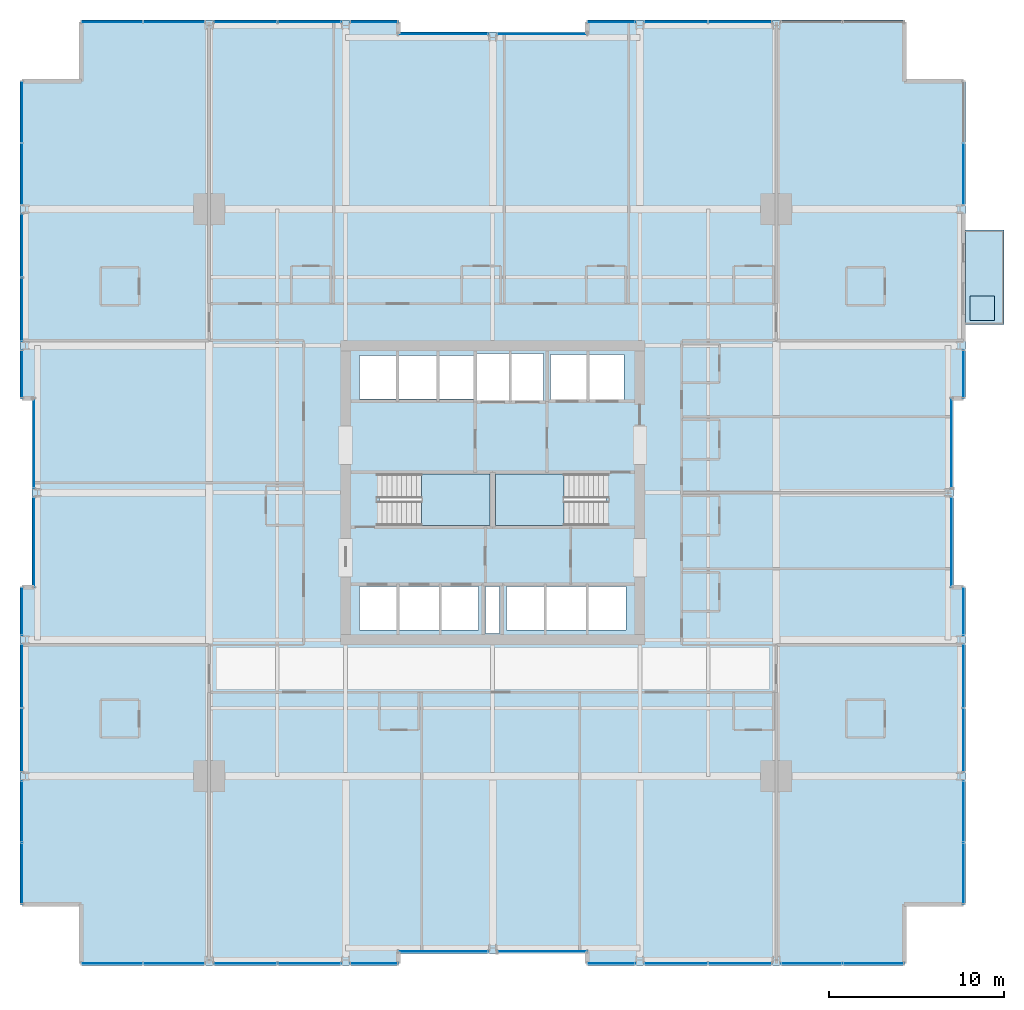
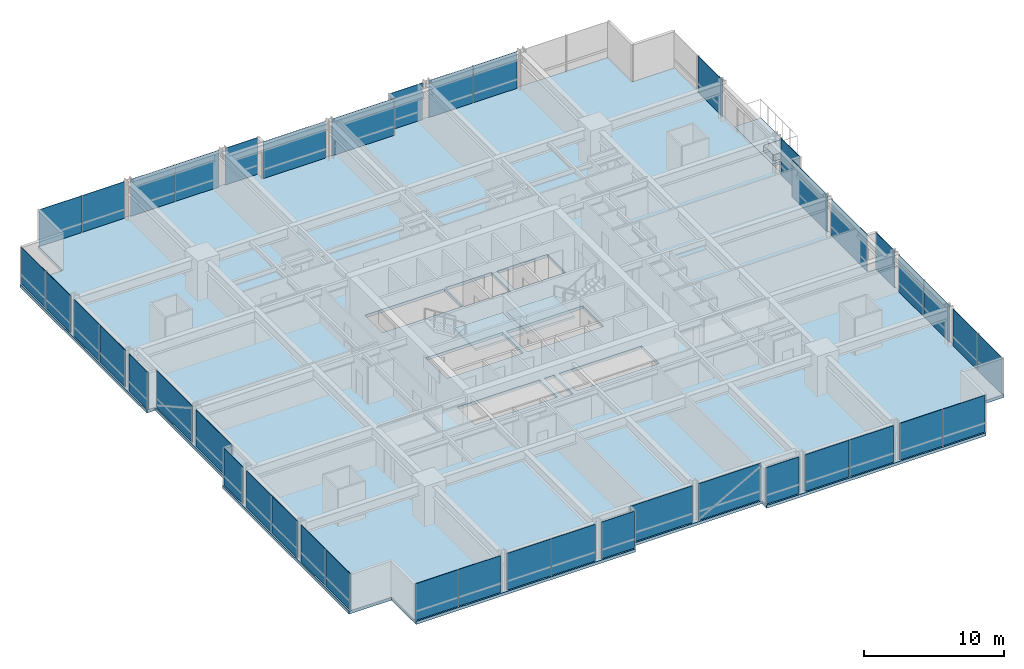
# One storey, part 29 of 38: 43 plates, 5 slabs, 32 elements without a shape of their own.
"""IFC4 building model written with IfcOpenShell, lengths in metres."""

from ifc_helpers import new_model, si_unit, direction, frame, origin, origin_2d, place, context, subcontext, project, spatial, polyline, rectangle, outline, extrude, material, layer, layer_set, type_object, element, aggregate, save


model = new_model("IFC4")

# Units and contexts
model_context = context("Model", 3, precision=1e-05, world=origin(), true_north=direction((0.0, 1.0)))
body_context = subcontext(model_context, "Body", "Model", "MODEL_VIEW")
ifc_project = project(units=[si_unit("LENGTHUNIT", "METRE"), si_unit("AREAUNIT", "SQUARE_METRE"), si_unit("VOLUMEUNIT", "CUBIC_METRE"), si_unit("PLANEANGLEUNIT", "RADIAN"), si_unit("MASSUNIT", "GRAM", prefix="KILO")], contexts=[model_context])

# Site, building, storey
site_placement = place(None, origin())
site = spatial("IfcSite", under=ifc_project, at=site_placement, CompositionType="ELEMENT")
building_placement = place(site_placement, origin())
building = spatial("IfcBuilding", under=site, at=building_placement, Name="Drelvath Grand Hotel", CompositionType="ELEMENT")
storey_placement = place(building_placement, frame((0.0, 0.0, 50.699951171875)))
storey = spatial("IfcBuildingStorey", under=building, at=storey_placement, Name="L11", CompositionType="ELEMENT", Elevation=50.699951171875)

# Slabs
ifc_material_1 = material(Name="Concrete f'c 40 MPa", Category="concrete")
ifc_layer_1 = layer(ifc_material_1, 0.239990234375)
ifc_layer_set_1 = layer_set([ifc_layer_1], Name="Concrete f'c 40 MPa")
slab_type_1 = type_object("IfcSlabType", Name="Cantilevered Tree Balcony Slab 240", PredefinedType="FLOOR", material=ifc_layer_set_1)
slab_1_placement = place(storey_placement, frame((0.0, 0.0, -0.239990234375)))
element("IfcSlab", 1, at=slab_1_placement, inside=storey, type_object=slab_type_1, Name="L11 Cantilevered Tree Balcony Slab 1", PredefinedType="FLOOR", context=body_context, shape_type="SweptSolid", body=[
    extrude(outline(polyline([(27.0, 36.60009765625), (29.199951171875, 36.60009765625), (29.199951171875, 42.0), (27.0, 42.0), (27.0, 36.60009765625)])), origin(), (0.0, 0.0, 1.0), 0.239990234375),
])
ifc_layer_2 = layer(ifc_material_1, 0.260009765625)
ifc_layer_set_2 = layer_set([ifc_layer_2], Name="Concrete f'c 40 MPa")
slab_type_2 = type_object("IfcSlabType", Name="Composite RC Floor Slab 260", PredefinedType="FLOOR", material=ifc_layer_set_2)
slab_2_placement = place(storey_placement, frame((0.0, 0.0, -0.260009765625)))
element("IfcSlab", 2, at=slab_2_placement, inside=storey, type_object=slab_type_2, Name="L11 Structural Floor Slab", PredefinedType="FLOOR", context=body_context, shape_type="SweptSolid", body=[
    extrude(outline(polyline([(-23.5, 0.0), (-5.39990234375, 0.0), (-5.39990234375, 0.679931640625), (5.39990234375, 0.679931640625), (5.39990234375, 0.0), (23.5, 0.0), (23.5, 3.5), (27.0, 3.5), (27.0, 21.60009765625), (26.320068359375, 21.60009765625), (26.320068359375, 32.39990234375), (27.0, 32.39990234375), (27.0, 50.5), (23.5, 50.5), (23.5, 54.0), (5.39990234375, 54.0), (5.39990234375, 53.320068359375), (-5.39990234375, 53.320068359375), (-5.39990234375, 54.0), (-23.5, 54.0), (-23.5, 50.5), (-27.0, 50.5), (-27.0, 32.39990234375), (-26.320068359375, 32.39990234375), (-26.320068359375, 21.60009765625), (-27.0, 21.60009765625), (-27.0, 3.5), (-23.5, 3.5), (-23.5, 0.0)]), holes=[polyline([(-6.47998046875, 25.1201171875), (-6.47998046875, 28.080078125), (-0.14990234375, 28.080078125), (-0.14990234375, 25.1201171875), (-6.47998046875, 25.1201171875)]), polyline([(0.14990234375, 25.1201171875), (0.14990234375, 28.080078125), (6.47998046875, 28.080078125), (6.47998046875, 25.1201171875), (0.14990234375, 25.1201171875)]), polyline([(-7.60009765625, 19.14990234375), (-7.60009765625, 21.64990234375), (-0.800048828125, 21.64990234375), (-0.800048828125, 19.14990234375), (-7.60009765625, 19.14990234375)]), polyline([(-0.39990234375, 18.9599609375), (-0.39990234375, 21.639892578125), (0.39990234375, 21.639892578125), (0.39990234375, 18.9599609375), (-0.39990234375, 18.9599609375)]), polyline([(0.800048828125, 19.14990234375), (0.800048828125, 21.64990234375), (7.60009765625, 21.64990234375), (7.60009765625, 19.14990234375), (0.800048828125, 19.14990234375)]), polyline([(-7.60009765625, 32.35009765625), (-7.60009765625, 34.85009765625), (-1.02001953125, 34.85009765625), (-1.02001953125, 32.35009765625), (-7.60009765625, 32.35009765625)]), polyline([(-0.89990234375, 32.25), (-0.89990234375, 34.949951171875), (2.89990234375, 34.949951171875), (2.89990234375, 32.25), (-0.89990234375, 32.25)]), polyline([(3.300048828125, 32.300048828125), (3.300048828125, 34.89990234375), (7.5, 34.89990234375), (7.5, 32.300048828125), (3.300048828125, 32.300048828125)])]), origin(), (0.0, 0.0, 1.0), 0.260009765625),
])

# Stair, slab
ifc_material_2 = material(Name="Concrete C40/50", Category="concrete")
stair_type = type_object("IfcStairType", Name="Dogleg Exit Stair W1400-R175.0", PredefinedType="HALF_TURN_STAIR", material=ifc_material_2)
stair_1_placement = place(storey_placement, origin())
stair_1 = element("IfcStair", 3, at=stair_1_placement, inside=storey, type_object=stair_type, Name="L11 Core Exit Stair ST-1", PredefinedType="HALF_TURN_STAIR")
ifc_layer_3 = layer(ifc_material_2, 0.199951171875)
ifc_layer_set_3 = layer_set([ifc_layer_3], Name="Concrete C40/50")
slab_type_3 = type_object("IfcSlabType", Name="Concrete Stair Landing Slab 200", PredefinedType="LANDING", material=ifc_layer_set_3)
slab_3_placement = place(storey_placement, frame((0.0, 0.0, 1.550048828125)))
slab_3 = element("IfcSlab", 4, at=slab_3_placement, type_object=slab_type_3, Name="ST-1 landing 1", PredefinedType="LANDING", context=body_context, shape_type="SweptSolid", body=[
    extrude(outline(polyline([(-4.080078125, 25.1201171875), (-0.14990234375, 25.1201171875), (-0.14990234375, 28.080078125), (-4.080078125, 28.080078125), (-4.080078125, 25.1201171875)])), origin(), (0.0, 0.0, 1.0), 0.199951171875),
])
aggregate(stair_1, [slab_3])

stair_2_placement = place(storey_placement, origin())
stair_2 = element("IfcStair", 5, at=stair_2_placement, inside=storey, type_object=stair_type, Name="L11 Core Exit Stair ST-2", PredefinedType="HALF_TURN_STAIR")
slab_4_placement = place(storey_placement, frame((0.0, 0.0, 1.550048828125)))
slab_4 = element("IfcSlab", 6, at=slab_4_placement, type_object=slab_type_3, Name="ST-2 landing 1", PredefinedType="LANDING", context=body_context, shape_type="SweptSolid", body=[
    extrude(outline(polyline([(4.080078125, 28.080078125), (0.14990234375, 28.080078125), (0.14990234375, 25.1201171875), (4.080078125, 25.1201171875), (4.080078125, 28.080078125)])), origin(), (0.0, 0.0, 1.0), 0.199951171875),
])
aggregate(stair_2, [slab_4])

# Curtain wall, plates
ifc_material_3 = material(Name="Warm Bronze Anodised Aluminium Frame", Category="aluminium")
ifc_layer_4 = layer(ifc_material_3, 0.199951171875)
ifc_layer_set_4 = layer_set([ifc_layer_4], Name="Warm Bronze Anodised Aluminium Frame")
curtain_wall_type = type_object("IfcCurtainWallType", Name="Stick Curtain Wall CW-02 Warm Bronze Low-Rise", PredefinedType="NOTDEFINED", material=ifc_layer_set_4)
curtain_wall_1_placement = place(storey_placement, origin())
curtain_wall_1 = element("IfcCurtainWall", 7, at=curtain_wall_1_placement, inside=storey, type_object=curtain_wall_type, Name="L11 CW-02 Curtain Wall CW02-L11-WS1", PredefinedType="NOTDEFINED")
ifc_material_4 = material(Name="Low-E Triple Silver Vision Glass Bronze Tint", Category="glass")
ifc_layer_5 = layer(ifc_material_4, 0.035888671875)
ifc_layer_set_5 = layer_set([ifc_layer_5], Name="Low-E Triple Silver Vision Glass Bronze Tint")
plate_type = type_object("IfcPlateType", Name="Curtain Wall Vision Panel CW-02 36mm", PredefinedType="CURTAIN_PANEL", material=ifc_layer_set_5)
plate_1_placement = place(storey_placement, frame((-26.8798828125, 5.264892578125, 0.02001953125), z_axis=(0.0, 0.0, 1.0), x_axis=(0.0, 1.0, 0.0)))
plate_1 = element("IfcPlate", 8, at=plate_1_placement, type_object=plate_type, Name="CW02-L11-WS1 Glazed Panel 1", PredefinedType="CURTAIN_PANEL", context=body_context, shape_type="SweptSolid", body=[
    extrude(rectangle(XDim=3.489501953125, YDim=0.035888671875, at=origin_2d()), origin(), (0.0, 0.0, 1.0), 3.199951171875),
])
plate_2_placement = place(storey_placement, frame((-26.8798828125, 8.794189453125, 0.02001953125), z_axis=(0.0, 0.0, 1.0), x_axis=(0.0, 1.0, 0.0)))
plate_2 = element("IfcPlate", 9, at=plate_2_placement, type_object=plate_type, Name="CW02-L11-WS1 Glazed Panel 2", PredefinedType="CURTAIN_PANEL", context=body_context, shape_type="SweptSolid", body=[
    extrude(rectangle(XDim=3.489501953125, YDim=0.035888671875, at=origin_2d()), origin(), (0.0, 0.0, 1.0), 3.199951171875),
])
aggregate(curtain_wall_1, [plate_1, plate_2])

curtain_wall_2_placement = place(storey_placement, origin())
curtain_wall_2 = element("IfcCurtainWall", 10, at=curtain_wall_2_placement, inside=storey, type_object=curtain_wall_type, Name="L11 CW-02 Curtain Wall CW02-L11-WS2", PredefinedType="NOTDEFINED")
plate_3_placement = place(storey_placement, frame((-26.8798828125, 12.870361328125, 0.02001953125), z_axis=(0.0, 0.0, 1.0), x_axis=(0.0, 1.0, 0.0)))
plate_3 = element("IfcPlate", 11, at=plate_3_placement, type_object=plate_type, Name="CW02-L11-WS2 Glazed Panel 1", PredefinedType="CURTAIN_PANEL", context=body_context, shape_type="SweptSolid", body=[
    extrude(rectangle(XDim=3.619140625, YDim=0.035888671875, at=origin_2d()), origin(), (0.0, 0.0, 1.0), 3.199951171875),
])
plate_4_placement = place(storey_placement, frame((-26.8798828125, 16.529541015625, 0.02001953125), z_axis=(0.0, 0.0, 1.0), x_axis=(0.0, 1.0, 0.0)))
plate_4 = element("IfcPlate", 12, at=plate_4_placement, type_object=plate_type, Name="CW02-L11-WS2 Glazed Panel 2", PredefinedType="CURTAIN_PANEL", context=body_context, shape_type="SweptSolid", body=[
    extrude(rectangle(XDim=3.619140625, YDim=0.035888671875, at=origin_2d()), origin(), (0.0, 0.0, 1.0), 3.199951171875),
])
aggregate(curtain_wall_2, [plate_3, plate_4])

# Curtain wall, plate
curtain_wall_3_placement = place(storey_placement, origin())
curtain_wall_3 = element("IfcCurtainWall", 13, at=curtain_wall_3_placement, inside=storey, type_object=curtain_wall_type, Name="L11 CW-02 Curtain Wall CW02-L11-WS3", PredefinedType="NOTDEFINED")
plate_5_placement = place(storey_placement, frame((-26.8798828125, 20.220458984375, 0.02001953125), z_axis=(0.0, 0.0, 1.0), x_axis=(0.0, 1.0, 0.0)))
plate_5 = element("IfcPlate", 14, at=plate_5_placement, type_object=plate_type, Name="CW02-L11-WS3 Glazed Panel 1", PredefinedType="CURTAIN_PANEL", context=body_context, shape_type="SweptSolid", body=[
    extrude(rectangle(XDim=2.718994140625, YDim=0.035888671875, at=origin_2d()), origin(), (0.0, 0.0, 1.0), 3.199951171875),
])
aggregate(curtain_wall_3, [plate_5])

curtain_wall_4_placement = place(storey_placement, origin())
curtain_wall_4 = element("IfcCurtainWall", 15, at=curtain_wall_4_placement, inside=storey, type_object=curtain_wall_type, Name="L11 CW-02 Curtain Wall CW02-L11-WM1", PredefinedType="NOTDEFINED")
plate_6_placement = place(storey_placement, frame((-26.199951171875, 24.179443359375, 0.02001953125), z_axis=(0.0, 0.0, 1.0), x_axis=(0.0, 1.0, 0.0)))
plate_6 = element("IfcPlate", 16, at=plate_6_placement, type_object=plate_type, Name="CW02-L11-WM1 Glazed Panel 1", PredefinedType="CURTAIN_PANEL", context=body_context, shape_type="SweptSolid", body=[
    extrude(rectangle(XDim=5.119140625, YDim=0.035888671875, at=origin_2d()), origin(), (0.0, 0.0, 1.0), 3.199951171875),
])
aggregate(curtain_wall_4, [plate_6])

curtain_wall_5_placement = place(storey_placement, origin())
curtain_wall_5 = element("IfcCurtainWall", 17, at=curtain_wall_5_placement, inside=storey, type_object=curtain_wall_type, Name="L11 CW-02 Curtain Wall CW02-L11-WM2", PredefinedType="NOTDEFINED")
plate_7_placement = place(storey_placement, frame((-26.199951171875, 29.820556640625, 0.02001953125), z_axis=(0.0, 0.0, 1.0), x_axis=(0.0, 1.0, 0.0)))
plate_7 = element("IfcPlate", 18, at=plate_7_placement, type_object=plate_type, Name="CW02-L11-WM2 Glazed Panel 1", PredefinedType="CURTAIN_PANEL", context=body_context, shape_type="SweptSolid", body=[
    extrude(rectangle(XDim=5.119140625, YDim=0.035888671875, at=origin_2d()), origin(), (0.0, 0.0, 1.0), 3.199951171875),
])
aggregate(curtain_wall_5, [plate_7])

curtain_wall_6_placement = place(storey_placement, origin())
curtain_wall_6 = element("IfcCurtainWall", 19, at=curtain_wall_6_placement, inside=storey, type_object=curtain_wall_type, Name="L11 CW-02 Curtain Wall CW02-L11-WN1", PredefinedType="NOTDEFINED")
plate_8_placement = place(storey_placement, frame((-26.8798828125, 33.779541015625, 0.02001953125), z_axis=(0.0, 0.0, 1.0), x_axis=(0.0, 1.0, 0.0)))
plate_8 = element("IfcPlate", 20, at=plate_8_placement, type_object=plate_type, Name="CW02-L11-WN1 Glazed Panel 1", PredefinedType="CURTAIN_PANEL", context=body_context, shape_type="SweptSolid", body=[
    extrude(rectangle(XDim=2.718994140625, YDim=0.035888671875, at=origin_2d()), origin(), (0.0, 0.0, 1.0), 3.199951171875),
])
aggregate(curtain_wall_6, [plate_8])

# Curtain wall, plates
curtain_wall_7_placement = place(storey_placement, origin())
curtain_wall_7 = element("IfcCurtainWall", 21, at=curtain_wall_7_placement, inside=storey, type_object=curtain_wall_type, Name="L11 CW-02 Curtain Wall CW02-L11-WN2", PredefinedType="NOTDEFINED")
plate_9_placement = place(storey_placement, frame((-26.8798828125, 37.470458984375, 0.02001953125), z_axis=(0.0, 0.0, 1.0), x_axis=(0.0, 1.0, 0.0)))
plate_9 = element("IfcPlate", 22, at=plate_9_placement, type_object=plate_type, Name="CW02-L11-WN2 Glazed Panel 1", PredefinedType="CURTAIN_PANEL", context=body_context, shape_type="SweptSolid", body=[
    extrude(rectangle(XDim=3.619140625, YDim=0.035888671875, at=origin_2d()), origin(), (0.0, 0.0, 1.0), 3.199951171875),
])
plate_10_placement = place(storey_placement, frame((-26.8798828125, 41.129638671875, 0.02001953125), z_axis=(0.0, 0.0, 1.0), x_axis=(0.0, 1.0, 0.0)))
plate_10 = element("IfcPlate", 23, at=plate_10_placement, type_object=plate_type, Name="CW02-L11-WN2 Glazed Panel 2", PredefinedType="CURTAIN_PANEL", context=body_context, shape_type="SweptSolid", body=[
    extrude(rectangle(XDim=3.619140625, YDim=0.035888671875, at=origin_2d()), origin(), (0.0, 0.0, 1.0), 3.199951171875),
])
aggregate(curtain_wall_7, [plate_9, plate_10])

curtain_wall_8_placement = place(storey_placement, origin())
curtain_wall_8 = element("IfcCurtainWall", 24, at=curtain_wall_8_placement, inside=storey, type_object=curtain_wall_type, Name="L11 CW-02 Curtain Wall CW02-L11-WN3", PredefinedType="NOTDEFINED")
plate_11_placement = place(storey_placement, frame((-26.8798828125, 45.205810546875, 0.02001953125), z_axis=(0.0, 0.0, 1.0), x_axis=(0.0, 1.0, 0.0)))
plate_11 = element("IfcPlate", 25, at=plate_11_placement, type_object=plate_type, Name="CW02-L11-WN3 Glazed Panel 1", PredefinedType="CURTAIN_PANEL", context=body_context, shape_type="SweptSolid", body=[
    extrude(rectangle(XDim=3.489501953125, YDim=0.035888671875, at=origin_2d()), origin(), (0.0, 0.0, 1.0), 3.199951171875),
])
plate_12_placement = place(storey_placement, frame((-26.8798828125, 48.735107421875, 0.02001953125), z_axis=(0.0, 0.0, 1.0), x_axis=(0.0, 1.0, 0.0)))
plate_12 = element("IfcPlate", 26, at=plate_12_placement, type_object=plate_type, Name="CW02-L11-WN3 Glazed Panel 2", PredefinedType="CURTAIN_PANEL", context=body_context, shape_type="SweptSolid", body=[
    extrude(rectangle(XDim=3.489501953125, YDim=0.035888671875, at=origin_2d()), origin(), (0.0, 0.0, 1.0), 3.199951171875),
])
aggregate(curtain_wall_8, [plate_11, plate_12])

# Curtain wall, plate
curtain_wall_9_placement = place(storey_placement, origin())
curtain_wall_9 = element("IfcCurtainWall", 27, at=curtain_wall_9_placement, inside=storey, type_object=curtain_wall_type, Name="L11 CW-02 Curtain Wall CW02-L11-EN1", PredefinedType="NOTDEFINED")
plate_13_placement = place(storey_placement, frame((26.8798828125, 33.779541015625, 0.02001953125), z_axis=(0.0, 0.0, 1.0), x_axis=(0.0, -1.0, 0.0)))
plate_13 = element("IfcPlate", 28, at=plate_13_placement, type_object=plate_type, Name="CW02-L11-EN1 Glazed Panel 1", PredefinedType="CURTAIN_PANEL", context=body_context, shape_type="SweptSolid", body=[
    extrude(rectangle(XDim=2.718994140625, YDim=0.035888671875, at=origin_2d()), origin(), (0.0, 0.0, 1.0), 3.199951171875),
])
aggregate(curtain_wall_9, [plate_13])

curtain_wall_10_placement = place(storey_placement, origin())
curtain_wall_10 = element("IfcCurtainWall", 29, at=curtain_wall_10_placement, inside=storey, type_object=curtain_wall_type, Name="L11 CW-02 Curtain Wall CW02-L11-EN3", PredefinedType="NOTDEFINED")
plate_14_placement = place(storey_placement, frame((26.8798828125, 45.205810546875, 0.02001953125), z_axis=(0.0, 0.0, 1.0), x_axis=(0.0, -1.0, 0.0)))
plate_14 = element("IfcPlate", 30, at=plate_14_placement, type_object=plate_type, Name="CW02-L11-EN3 Glazed Panel 2", PredefinedType="CURTAIN_PANEL", context=body_context, shape_type="SweptSolid", body=[
    extrude(rectangle(XDim=3.489501953125, YDim=0.035888671875, at=origin_2d()), origin(), (0.0, 0.0, 1.0), 3.199951171875),
])
aggregate(curtain_wall_10, [plate_14])

curtain_wall_11_placement = place(storey_placement, origin())
curtain_wall_11 = element("IfcCurtainWall", 31, at=curtain_wall_11_placement, inside=storey, type_object=curtain_wall_type, Name="L11 CW-02 Curtain Wall CW02-L11-EM1", PredefinedType="NOTDEFINED")
plate_15_placement = place(storey_placement, frame((26.199951171875, 24.179443359375, 0.02001953125), z_axis=(0.0, 0.0, 1.0), x_axis=(0.0, -1.0, 0.0)))
plate_15 = element("IfcPlate", 32, at=plate_15_placement, type_object=plate_type, Name="CW02-L11-EM1 Glazed Panel 1", PredefinedType="CURTAIN_PANEL", context=body_context, shape_type="SweptSolid", body=[
    extrude(rectangle(XDim=5.119140625, YDim=0.035888671875, at=origin_2d()), origin(), (0.0, 0.0, 1.0), 3.199951171875),
])
aggregate(curtain_wall_11, [plate_15])

curtain_wall_12_placement = place(storey_placement, origin())
curtain_wall_12 = element("IfcCurtainWall", 33, at=curtain_wall_12_placement, inside=storey, type_object=curtain_wall_type, Name="L11 CW-02 Curtain Wall CW02-L11-EM2", PredefinedType="NOTDEFINED")
plate_16_placement = place(storey_placement, frame((26.199951171875, 29.820556640625, 0.02001953125), z_axis=(0.0, 0.0, 1.0), x_axis=(0.0, -1.0, 0.0)))
plate_16 = element("IfcPlate", 34, at=plate_16_placement, type_object=plate_type, Name="CW02-L11-EM2 Glazed Panel 1", PredefinedType="CURTAIN_PANEL", context=body_context, shape_type="SweptSolid", body=[
    extrude(rectangle(XDim=5.119140625, YDim=0.035888671875, at=origin_2d()), origin(), (0.0, 0.0, 1.0), 3.199951171875),
])
aggregate(curtain_wall_12, [plate_16])

# Curtain wall, plates
curtain_wall_13_placement = place(storey_placement, origin())
curtain_wall_13 = element("IfcCurtainWall", 35, at=curtain_wall_13_placement, inside=storey, type_object=curtain_wall_type, Name="L11 CW-02 Curtain Wall CW02-L11-ES1", PredefinedType="NOTDEFINED")
plate_17_placement = place(storey_placement, frame((26.8798828125, 8.794189453125, 0.02001953125), z_axis=(0.0, 0.0, 1.0), x_axis=(0.0, -1.0, 0.0)))
plate_17 = element("IfcPlate", 36, at=plate_17_placement, type_object=plate_type, Name="CW02-L11-ES1 Glazed Panel 1", PredefinedType="CURTAIN_PANEL", context=body_context, shape_type="SweptSolid", body=[
    extrude(rectangle(XDim=3.489501953125, YDim=0.035888671875, at=origin_2d()), origin(), (0.0, 0.0, 1.0), 3.199951171875),
])
plate_18_placement = place(storey_placement, frame((26.8798828125, 5.264892578125, 0.02001953125), z_axis=(0.0, 0.0, 1.0), x_axis=(0.0, -1.0, 0.0)))
plate_18 = element("IfcPlate", 37, at=plate_18_placement, type_object=plate_type, Name="CW02-L11-ES1 Glazed Panel 2", PredefinedType="CURTAIN_PANEL", context=body_context, shape_type="SweptSolid", body=[
    extrude(rectangle(XDim=3.489501953125, YDim=0.035888671875, at=origin_2d()), origin(), (0.0, 0.0, 1.0), 3.199951171875),
])
aggregate(curtain_wall_13, [plate_17, plate_18])

curtain_wall_14_placement = place(storey_placement, origin())
curtain_wall_14 = element("IfcCurtainWall", 38, at=curtain_wall_14_placement, inside=storey, type_object=curtain_wall_type, Name="L11 CW-02 Curtain Wall CW02-L11-ES2", PredefinedType="NOTDEFINED")
plate_19_placement = place(storey_placement, frame((26.8798828125, 16.529541015625, 0.02001953125), z_axis=(0.0, 0.0, 1.0), x_axis=(0.0, -1.0, 0.0)))
plate_19 = element("IfcPlate", 39, at=plate_19_placement, type_object=plate_type, Name="CW02-L11-ES2 Glazed Panel 1", PredefinedType="CURTAIN_PANEL", context=body_context, shape_type="SweptSolid", body=[
    extrude(rectangle(XDim=3.619140625, YDim=0.035888671875, at=origin_2d()), origin(), (0.0, 0.0, 1.0), 3.199951171875),
])
plate_20_placement = place(storey_placement, frame((26.8798828125, 12.870361328125, 0.02001953125), z_axis=(0.0, 0.0, 1.0), x_axis=(0.0, -1.0, 0.0)))
plate_20 = element("IfcPlate", 40, at=plate_20_placement, type_object=plate_type, Name="CW02-L11-ES2 Glazed Panel 2", PredefinedType="CURTAIN_PANEL", context=body_context, shape_type="SweptSolid", body=[
    extrude(rectangle(XDim=3.619140625, YDim=0.035888671875, at=origin_2d()), origin(), (0.0, 0.0, 1.0), 3.199951171875),
])
aggregate(curtain_wall_14, [plate_19, plate_20])

# Curtain wall, plate
curtain_wall_15_placement = place(storey_placement, origin())
curtain_wall_15 = element("IfcCurtainWall", 41, at=curtain_wall_15_placement, inside=storey, type_object=curtain_wall_type, Name="L11 CW-02 Curtain Wall CW02-L11-ES3", PredefinedType="NOTDEFINED")
plate_21_placement = place(storey_placement, frame((26.8798828125, 20.220458984375, 0.02001953125), z_axis=(0.0, 0.0, 1.0), x_axis=(0.0, -1.0, 0.0)))
plate_21 = element("IfcPlate", 42, at=plate_21_placement, type_object=plate_type, Name="CW02-L11-ES3 Glazed Panel 1", PredefinedType="CURTAIN_PANEL", context=body_context, shape_type="SweptSolid", body=[
    extrude(rectangle(XDim=2.718994140625, YDim=0.035888671875, at=origin_2d()), origin(), (0.0, 0.0, 1.0), 3.199951171875),
])
aggregate(curtain_wall_15, [plate_21])

# Curtain wall, plates
curtain_wall_16_placement = place(storey_placement, origin())
curtain_wall_16 = element("IfcCurtainWall", 43, at=curtain_wall_16_placement, inside=storey, type_object=curtain_wall_type, Name="L11 CW-02 Curtain Wall CW02-L11-NW1", PredefinedType="NOTDEFINED")
plate_22_placement = place(storey_placement, frame((-21.735107421875, 53.8798828125, 0.02001953125), z_axis=(0.0, 0.0, 1.0), x_axis=(1.0, 0.0, 0.0)))
plate_22 = element("IfcPlate", 44, at=plate_22_placement, type_object=plate_type, Name="CW02-L11-NW1 Glazed Panel 1", PredefinedType="CURTAIN_PANEL", context=body_context, shape_type="SweptSolid", body=[
    extrude(rectangle(XDim=3.489501953125, YDim=0.035888671875, at=origin_2d()), origin(), (0.0, 0.0, 1.0), 3.199951171875),
])
plate_23_placement = place(storey_placement, frame((-18.205810546875, 53.8798828125, 0.02001953125), z_axis=(0.0, 0.0, 1.0), x_axis=(1.0, 0.0, 0.0)))
plate_23 = element("IfcPlate", 45, at=plate_23_placement, type_object=plate_type, Name="CW02-L11-NW1 Glazed Panel 2", PredefinedType="CURTAIN_PANEL", context=body_context, shape_type="SweptSolid", body=[
    extrude(rectangle(XDim=3.489501953125, YDim=0.035888671875, at=origin_2d()), origin(), (0.0, 0.0, 1.0), 3.199951171875),
])
aggregate(curtain_wall_16, [plate_22, plate_23])

curtain_wall_17_placement = place(storey_placement, origin())
curtain_wall_17 = element("IfcCurtainWall", 46, at=curtain_wall_17_placement, inside=storey, type_object=curtain_wall_type, Name="L11 CW-02 Curtain Wall CW02-L11-NW2", PredefinedType="NOTDEFINED")
plate_24_placement = place(storey_placement, frame((-14.129638671875, 53.8798828125, 0.02001953125), z_axis=(0.0, 0.0, 1.0), x_axis=(1.0, 0.0, 0.0)))
plate_24 = element("IfcPlate", 47, at=plate_24_placement, type_object=plate_type, Name="CW02-L11-NW2 Glazed Panel 1", PredefinedType="CURTAIN_PANEL", context=body_context, shape_type="SweptSolid", body=[
    extrude(rectangle(XDim=3.619140625, YDim=0.035888671875, at=origin_2d()), origin(), (0.0, 0.0, 1.0), 3.199951171875),
])
plate_25_placement = place(storey_placement, frame((-10.470458984375, 53.8798828125, 0.02001953125), z_axis=(0.0, 0.0, 1.0), x_axis=(1.0, 0.0, 0.0)))
plate_25 = element("IfcPlate", 48, at=plate_25_placement, type_object=plate_type, Name="CW02-L11-NW2 Glazed Panel 2", PredefinedType="CURTAIN_PANEL", context=body_context, shape_type="SweptSolid", body=[
    extrude(rectangle(XDim=3.619140625, YDim=0.035888671875, at=origin_2d()), origin(), (0.0, 0.0, 1.0), 3.199951171875),
])
aggregate(curtain_wall_17, [plate_24, plate_25])

# Curtain wall, plate
curtain_wall_18_placement = place(storey_placement, origin())
curtain_wall_18 = element("IfcCurtainWall", 49, at=curtain_wall_18_placement, inside=storey, type_object=curtain_wall_type, Name="L11 CW-02 Curtain Wall CW02-L11-NW3", PredefinedType="NOTDEFINED")
plate_26_placement = place(storey_placement, frame((-6.779541015625, 53.8798828125, 0.02001953125), z_axis=(0.0, 0.0, 1.0), x_axis=(1.0, 0.0, 0.0)))
plate_26 = element("IfcPlate", 50, at=plate_26_placement, type_object=plate_type, Name="CW02-L11-NW3 Glazed Panel 1", PredefinedType="CURTAIN_PANEL", context=body_context, shape_type="SweptSolid", body=[
    extrude(rectangle(XDim=2.718994140625, YDim=0.035888671875, at=origin_2d()), origin(), (0.0, 0.0, 1.0), 3.199951171875),
])
aggregate(curtain_wall_18, [plate_26])

curtain_wall_19_placement = place(storey_placement, origin())
curtain_wall_19 = element("IfcCurtainWall", 51, at=curtain_wall_19_placement, inside=storey, type_object=curtain_wall_type, Name="L11 CW-02 Curtain Wall CW02-L11-NM1", PredefinedType="NOTDEFINED")
plate_27_placement = place(storey_placement, frame((-2.820556640625, 53.199951171875, 0.02001953125), z_axis=(0.0, 0.0, 1.0), x_axis=(1.0, 0.0, 0.0)))
plate_27 = element("IfcPlate", 52, at=plate_27_placement, type_object=plate_type, Name="CW02-L11-NM1 Glazed Panel 1", PredefinedType="CURTAIN_PANEL", context=body_context, shape_type="SweptSolid", body=[
    extrude(rectangle(XDim=5.119140625, YDim=0.035888671875, at=origin_2d()), origin(), (0.0, 0.0, 1.0), 3.199951171875),
])
aggregate(curtain_wall_19, [plate_27])

curtain_wall_20_placement = place(storey_placement, origin())
curtain_wall_20 = element("IfcCurtainWall", 53, at=curtain_wall_20_placement, inside=storey, type_object=curtain_wall_type, Name="L11 CW-02 Curtain Wall CW02-L11-NM2", PredefinedType="NOTDEFINED")
plate_28_placement = place(storey_placement, frame((2.820556640625, 53.199951171875, 0.02001953125), z_axis=(0.0, 0.0, 1.0), x_axis=(1.0, 0.0, 0.0)))
plate_28 = element("IfcPlate", 54, at=plate_28_placement, type_object=plate_type, Name="CW02-L11-NM2 Glazed Panel 1", PredefinedType="CURTAIN_PANEL", context=body_context, shape_type="SweptSolid", body=[
    extrude(rectangle(XDim=5.119140625, YDim=0.035888671875, at=origin_2d()), origin(), (0.0, 0.0, 1.0), 3.199951171875),
])
aggregate(curtain_wall_20, [plate_28])

curtain_wall_21_placement = place(storey_placement, origin())
curtain_wall_21 = element("IfcCurtainWall", 55, at=curtain_wall_21_placement, inside=storey, type_object=curtain_wall_type, Name="L11 CW-02 Curtain Wall CW02-L11-NE1", PredefinedType="NOTDEFINED")
plate_29_placement = place(storey_placement, frame((6.779541015625, 53.8798828125, 0.02001953125), z_axis=(0.0, 0.0, 1.0), x_axis=(1.0, 0.0, 0.0)))
plate_29 = element("IfcPlate", 56, at=plate_29_placement, type_object=plate_type, Name="CW02-L11-NE1 Glazed Panel 1", PredefinedType="CURTAIN_PANEL", context=body_context, shape_type="SweptSolid", body=[
    extrude(rectangle(XDim=2.718994140625, YDim=0.035888671875, at=origin_2d()), origin(), (0.0, 0.0, 1.0), 3.199951171875),
])
aggregate(curtain_wall_21, [plate_29])

# Curtain wall, plates
curtain_wall_22_placement = place(storey_placement, origin())
curtain_wall_22 = element("IfcCurtainWall", 57, at=curtain_wall_22_placement, inside=storey, type_object=curtain_wall_type, Name="L11 CW-02 Curtain Wall CW02-L11-NE2", PredefinedType="NOTDEFINED")
plate_30_placement = place(storey_placement, frame((10.470458984375, 53.8798828125, 0.02001953125), z_axis=(0.0, 0.0, 1.0), x_axis=(1.0, 0.0, 0.0)))
plate_30 = element("IfcPlate", 58, at=plate_30_placement, type_object=plate_type, Name="CW02-L11-NE2 Glazed Panel 1", PredefinedType="CURTAIN_PANEL", context=body_context, shape_type="SweptSolid", body=[
    extrude(rectangle(XDim=3.619140625, YDim=0.035888671875, at=origin_2d()), origin(), (0.0, 0.0, 1.0), 3.199951171875),
])
plate_31_placement = place(storey_placement, frame((14.129638671875, 53.8798828125, 0.02001953125), z_axis=(0.0, 0.0, 1.0), x_axis=(1.0, 0.0, 0.0)))
plate_31 = element("IfcPlate", 59, at=plate_31_placement, type_object=plate_type, Name="CW02-L11-NE2 Glazed Panel 2", PredefinedType="CURTAIN_PANEL", context=body_context, shape_type="SweptSolid", body=[
    extrude(rectangle(XDim=3.619140625, YDim=0.035888671875, at=origin_2d()), origin(), (0.0, 0.0, 1.0), 3.199951171875),
])
aggregate(curtain_wall_22, [plate_30, plate_31])

# Curtain wall, plate
curtain_wall_23_placement = place(storey_placement, origin())
curtain_wall_23 = element("IfcCurtainWall", 60, at=curtain_wall_23_placement, inside=storey, type_object=curtain_wall_type, Name="L11 CW-02 Curtain Wall CW02-L11-SE1", PredefinedType="NOTDEFINED")
plate_32_placement = place(storey_placement, frame((6.779541015625, 0.1201171875, 0.02001953125), z_axis=(0.0, 0.0, 1.0), x_axis=(-1.0, 0.0, 0.0)))
plate_32 = element("IfcPlate", 61, at=plate_32_placement, type_object=plate_type, Name="CW02-L11-SE1 Glazed Panel 1", PredefinedType="CURTAIN_PANEL", context=body_context, shape_type="SweptSolid", body=[
    extrude(rectangle(XDim=2.718994140625, YDim=0.035888671875, at=origin_2d()), origin(), (0.0, 0.0, 1.0), 3.199951171875),
])
aggregate(curtain_wall_23, [plate_32])

# Curtain wall, plates
curtain_wall_24_placement = place(storey_placement, origin())
curtain_wall_24 = element("IfcCurtainWall", 62, at=curtain_wall_24_placement, inside=storey, type_object=curtain_wall_type, Name="L11 CW-02 Curtain Wall CW02-L11-SE2", PredefinedType="NOTDEFINED")
plate_33_placement = place(storey_placement, frame((14.129638671875, 0.1201171875, 0.02001953125), z_axis=(0.0, 0.0, 1.0), x_axis=(-1.0, 0.0, 0.0)))
plate_33 = element("IfcPlate", 63, at=plate_33_placement, type_object=plate_type, Name="CW02-L11-SE2 Glazed Panel 1", PredefinedType="CURTAIN_PANEL", context=body_context, shape_type="SweptSolid", body=[
    extrude(rectangle(XDim=3.619140625, YDim=0.035888671875, at=origin_2d()), origin(), (0.0, 0.0, 1.0), 3.199951171875),
])
plate_34_placement = place(storey_placement, frame((10.470458984375, 0.1201171875, 0.02001953125), z_axis=(0.0, 0.0, 1.0), x_axis=(-1.0, 0.0, 0.0)))
plate_34 = element("IfcPlate", 64, at=plate_34_placement, type_object=plate_type, Name="CW02-L11-SE2 Glazed Panel 2", PredefinedType="CURTAIN_PANEL", context=body_context, shape_type="SweptSolid", body=[
    extrude(rectangle(XDim=3.619140625, YDim=0.035888671875, at=origin_2d()), origin(), (0.0, 0.0, 1.0), 3.199951171875),
])
aggregate(curtain_wall_24, [plate_33, plate_34])

curtain_wall_25_placement = place(storey_placement, origin())
curtain_wall_25 = element("IfcCurtainWall", 65, at=curtain_wall_25_placement, inside=storey, type_object=curtain_wall_type, Name="L11 CW-02 Curtain Wall CW02-L11-SE3", PredefinedType="NOTDEFINED")
plate_35_placement = place(storey_placement, frame((21.735107421875, 0.1201171875, 0.02001953125), z_axis=(0.0, 0.0, 1.0), x_axis=(-1.0, 0.0, 0.0)))
plate_35 = element("IfcPlate", 66, at=plate_35_placement, type_object=plate_type, Name="CW02-L11-SE3 Glazed Panel 1", PredefinedType="CURTAIN_PANEL", context=body_context, shape_type="SweptSolid", body=[
    extrude(rectangle(XDim=3.489501953125, YDim=0.035888671875, at=origin_2d()), origin(), (0.0, 0.0, 1.0), 3.199951171875),
])
plate_36_placement = place(storey_placement, frame((18.205810546875, 0.1201171875, 0.02001953125), z_axis=(0.0, 0.0, 1.0), x_axis=(-1.0, 0.0, 0.0)))
plate_36 = element("IfcPlate", 67, at=plate_36_placement, type_object=plate_type, Name="CW02-L11-SE3 Glazed Panel 2", PredefinedType="CURTAIN_PANEL", context=body_context, shape_type="SweptSolid", body=[
    extrude(rectangle(XDim=3.489501953125, YDim=0.035888671875, at=origin_2d()), origin(), (0.0, 0.0, 1.0), 3.199951171875),
])
aggregate(curtain_wall_25, [plate_35, plate_36])

# Curtain wall, plate
curtain_wall_26_placement = place(storey_placement, origin())
curtain_wall_26 = element("IfcCurtainWall", 68, at=curtain_wall_26_placement, inside=storey, type_object=curtain_wall_type, Name="L11 CW-02 Curtain Wall CW02-L11-SM1", PredefinedType="NOTDEFINED")
plate_37_placement = place(storey_placement, frame((-2.820556640625, 0.800048828125, 0.02001953125), z_axis=(0.0, 0.0, 1.0), x_axis=(-1.0, 0.0, 0.0)))
plate_37 = element("IfcPlate", 69, at=plate_37_placement, type_object=plate_type, Name="CW02-L11-SM1 Glazed Panel 1", PredefinedType="CURTAIN_PANEL", context=body_context, shape_type="SweptSolid", body=[
    extrude(rectangle(XDim=5.119140625, YDim=0.035888671875, at=origin_2d()), origin(), (0.0, 0.0, 1.0), 3.199951171875),
])
aggregate(curtain_wall_26, [plate_37])

curtain_wall_27_placement = place(storey_placement, origin())
curtain_wall_27 = element("IfcCurtainWall", 70, at=curtain_wall_27_placement, inside=storey, type_object=curtain_wall_type, Name="L11 CW-02 Curtain Wall CW02-L11-SM2", PredefinedType="NOTDEFINED")
plate_38_placement = place(storey_placement, frame((2.820556640625, 0.800048828125, 0.02001953125), z_axis=(0.0, 0.0, 1.0), x_axis=(-1.0, 0.0, 0.0)))
plate_38 = element("IfcPlate", 71, at=plate_38_placement, type_object=plate_type, Name="CW02-L11-SM2 Glazed Panel 1", PredefinedType="CURTAIN_PANEL", context=body_context, shape_type="SweptSolid", body=[
    extrude(rectangle(XDim=5.119140625, YDim=0.035888671875, at=origin_2d()), origin(), (0.0, 0.0, 1.0), 3.199951171875),
])
aggregate(curtain_wall_27, [plate_38])

# Curtain wall, plates
curtain_wall_28_placement = place(storey_placement, origin())
curtain_wall_28 = element("IfcCurtainWall", 72, at=curtain_wall_28_placement, inside=storey, type_object=curtain_wall_type, Name="L11 CW-02 Curtain Wall CW02-L11-SW1", PredefinedType="NOTDEFINED")
plate_39_placement = place(storey_placement, frame((-18.205810546875, 0.1201171875, 0.02001953125), z_axis=(0.0, 0.0, 1.0), x_axis=(-1.0, 0.0, 0.0)))
plate_39 = element("IfcPlate", 73, at=plate_39_placement, type_object=plate_type, Name="CW02-L11-SW1 Glazed Panel 1", PredefinedType="CURTAIN_PANEL", context=body_context, shape_type="SweptSolid", body=[
    extrude(rectangle(XDim=3.489501953125, YDim=0.035888671875, at=origin_2d()), origin(), (0.0, 0.0, 1.0), 3.199951171875),
])
plate_40_placement = place(storey_placement, frame((-21.735107421875, 0.1201171875, 0.02001953125), z_axis=(0.0, 0.0, 1.0), x_axis=(-1.0, 0.0, 0.0)))
plate_40 = element("IfcPlate", 74, at=plate_40_placement, type_object=plate_type, Name="CW02-L11-SW1 Glazed Panel 2", PredefinedType="CURTAIN_PANEL", context=body_context, shape_type="SweptSolid", body=[
    extrude(rectangle(XDim=3.489501953125, YDim=0.035888671875, at=origin_2d()), origin(), (0.0, 0.0, 1.0), 3.199951171875),
])
aggregate(curtain_wall_28, [plate_39, plate_40])

curtain_wall_29_placement = place(storey_placement, origin())
curtain_wall_29 = element("IfcCurtainWall", 75, at=curtain_wall_29_placement, inside=storey, type_object=curtain_wall_type, Name="L11 CW-02 Curtain Wall CW02-L11-SW2", PredefinedType="NOTDEFINED")
plate_41_placement = place(storey_placement, frame((-10.470458984375, 0.1201171875, 0.02001953125), z_axis=(0.0, 0.0, 1.0), x_axis=(-1.0, 0.0, 0.0)))
plate_41 = element("IfcPlate", 76, at=plate_41_placement, type_object=plate_type, Name="CW02-L11-SW2 Glazed Panel 1", PredefinedType="CURTAIN_PANEL", context=body_context, shape_type="SweptSolid", body=[
    extrude(rectangle(XDim=3.619140625, YDim=0.035888671875, at=origin_2d()), origin(), (0.0, 0.0, 1.0), 3.199951171875),
])
plate_42_placement = place(storey_placement, frame((-14.129638671875, 0.1201171875, 0.02001953125), z_axis=(0.0, 0.0, 1.0), x_axis=(-1.0, 0.0, 0.0)))
plate_42 = element("IfcPlate", 77, at=plate_42_placement, type_object=plate_type, Name="CW02-L11-SW2 Glazed Panel 2", PredefinedType="CURTAIN_PANEL", context=body_context, shape_type="SweptSolid", body=[
    extrude(rectangle(XDim=3.619140625, YDim=0.035888671875, at=origin_2d()), origin(), (0.0, 0.0, 1.0), 3.199951171875),
])
aggregate(curtain_wall_29, [plate_41, plate_42])

# Curtain wall, plate
curtain_wall_30_placement = place(storey_placement, origin())
curtain_wall_30 = element("IfcCurtainWall", 78, at=curtain_wall_30_placement, inside=storey, type_object=curtain_wall_type, Name="L11 CW-02 Curtain Wall CW02-L11-SW3", PredefinedType="NOTDEFINED")
plate_43_placement = place(storey_placement, frame((-6.779541015625, 0.1201171875, 0.02001953125), z_axis=(0.0, 0.0, 1.0), x_axis=(-1.0, 0.0, 0.0)))
plate_43 = element("IfcPlate", 79, at=plate_43_placement, type_object=plate_type, Name="CW02-L11-SW3 Glazed Panel 1", PredefinedType="CURTAIN_PANEL", context=body_context, shape_type="SweptSolid", body=[
    extrude(rectangle(XDim=2.718994140625, YDim=0.035888671875, at=origin_2d()), origin(), (0.0, 0.0, 1.0), 3.199951171875),
])
aggregate(curtain_wall_30, [plate_43])

# Slab
ifc_layer_6 = layer(ifc_material_1, 0.550048828125)
ifc_layer_set_6 = layer_set([ifc_layer_6], Name="Concrete f'c 40 MPa")
slab_type_4 = type_object("IfcSlabType", Name="Structural Tree Planter Box 550", PredefinedType="USERDEFINED", material=ifc_layer_set_6)
slab_5_placement = place(storey_placement, origin())
element("IfcSlab", 80, at=slab_5_placement, inside=storey, type_object=slab_type_4, Name="L11 Tree Balcony Structural Planter 1", ObjectType="PLANTER", PredefinedType="USERDEFINED", context=body_context, shape_type="SweptSolid", body=[
    extrude(outline(polyline([(27.25, 36.85009765625), (28.64990234375, 36.85009765625), (28.64990234375, 38.25), (27.25, 38.25), (27.25, 36.85009765625)])), origin(), (0.0, 0.0, 1.0), 0.550048828125),
])

save(model, "model.ifc")
